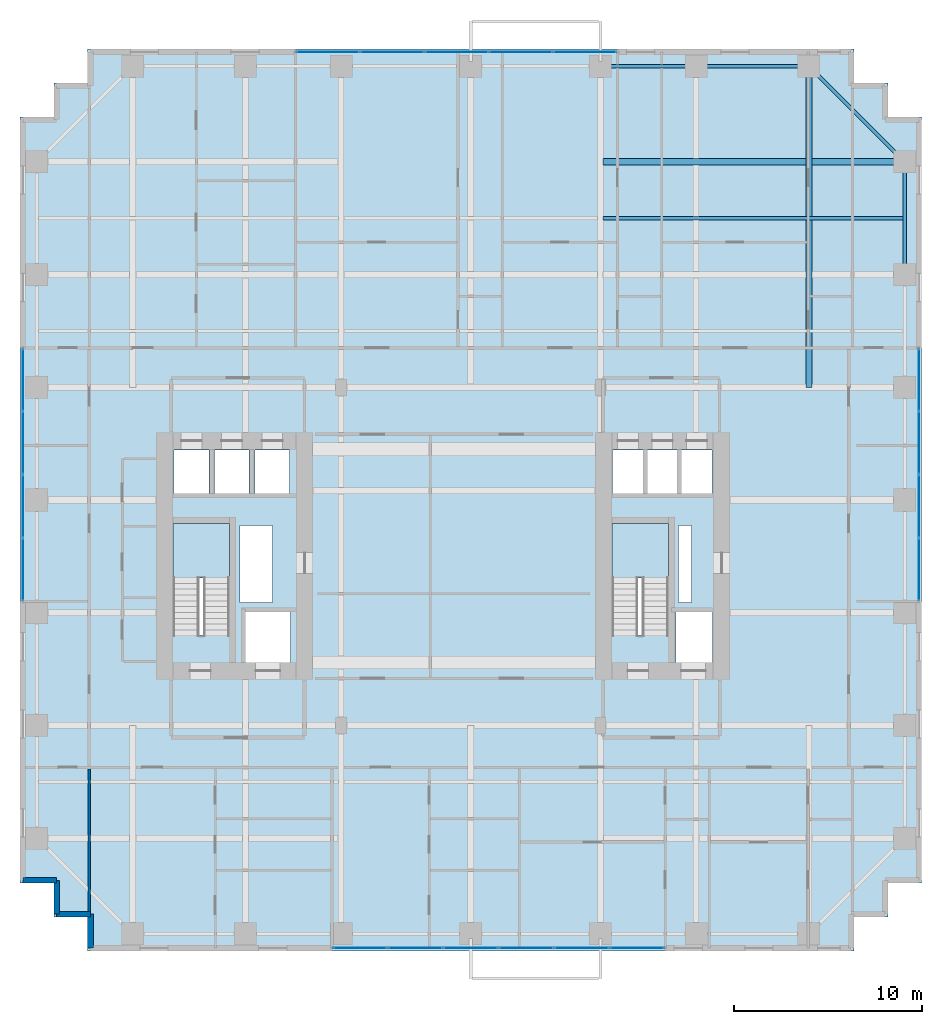
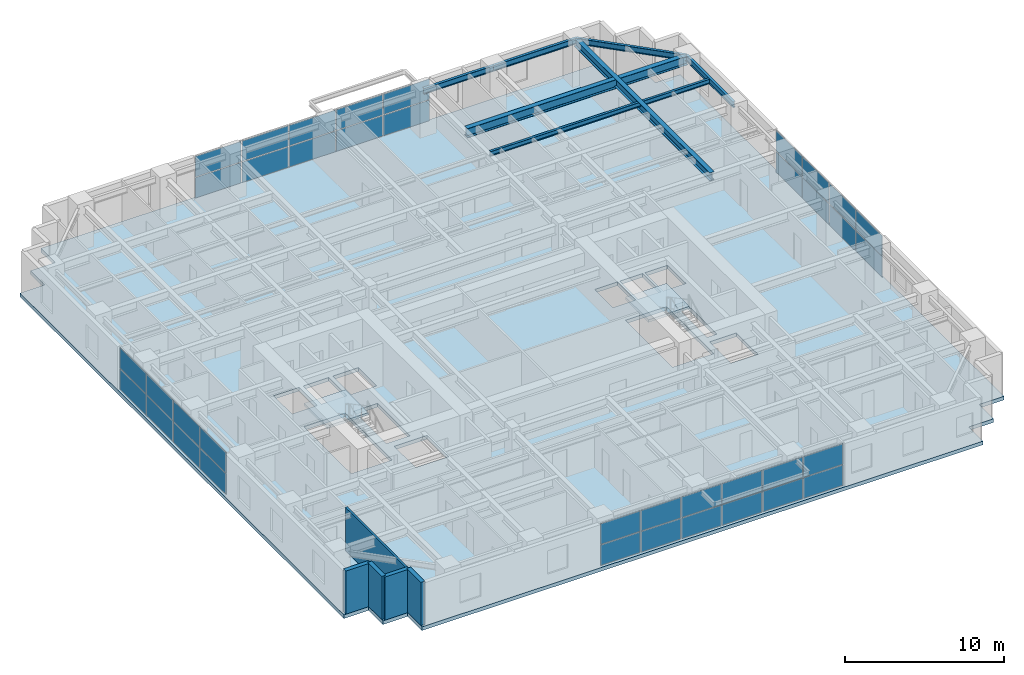
# One storey, part 18 of 24: 38 plates, 7 beams, 5 walls, 3 slabs, 6 elements without a shape of their own.
"""IFC4 building model written with IfcOpenShell, lengths in metres."""

from ifc_helpers import new_model, si_unit, direction, frame, frame_2d, origin, origin_2d, place, context, subcontext, project, spatial, polyline, rectangle, i_section, outline, extrude, source, transform, mapped, material, layer, layer_set, material_profile, profile_set, type_object, element, aggregate, save


model = new_model("IFC4")

# Units and contexts
model_context = context("Model", 3, precision=1e-05, world=origin(), true_north=direction((0.0, 1.0)))
body_context = subcontext(model_context, "Body", "Model", "MODEL_VIEW")
ifc_project = project(units=[si_unit("LENGTHUNIT", "METRE"), si_unit("AREAUNIT", "SQUARE_METRE"), si_unit("VOLUMEUNIT", "CUBIC_METRE"), si_unit("PLANEANGLEUNIT", "RADIAN"), si_unit("MASSUNIT", "GRAM", prefix="KILO")], contexts=[model_context])

# Site, building, storey
site_placement = place(None, origin())
site = spatial("IfcSite", under=ifc_project, at=site_placement, CompositionType="ELEMENT")
building_placement = place(site_placement, origin())
building = spatial("IfcBuilding", under=site, at=building_placement, Name="Khoralis Quay Care Tower", CompositionType="ELEMENT")
storey_placement = place(building_placement, frame((0.0, 0.0, 54.89990234375)))
storey = spatial("IfcBuildingStorey", under=building, at=storey_placement, Name="L14", CompositionType="ELEMENT", Elevation=54.89990234375)

# Beams
ifc_material_1 = material(Name="Steel S355", Category="steel")
ifc_material_profile_1 = material_profile(ifc_material_1, i_section(OverallWidth=0.18994140625, OverallDepth=0.449951171875, WebThickness=0.009521484375, FlangeThickness=0.0146484375, FilletRadius=0.02099609375, at=origin_2d()), Name="Steel S355")
ifc_profile_set_1 = profile_set([ifc_material_profile_1], Name="Steel S355")
beam_type_1 = type_object("IfcBeamType", Name="BM-IPE450", PredefinedType="SPANDREL", material=ifc_profile_set_1)
shared_shape_1 = source(origin(), body_context, "Body", "SweptSolid", [
    extrude(i_section(OverallWidth=0.18994140625, OverallDepth=0.449951171875, WebThickness=0.009521484375, FlangeThickness=0.0146484375, FilletRadius=0.02099609375, at=origin_2d()), origin(), (0.0, 0.0, 1.0), 6.0),
])
for number, where, z_axis, x_axis, name in (
    (1, (36.0, 47.10009765625, 3.09521484375), (1.0, 0.0, 0.0), (0.0, 1.0, 0.0), "BM-TSP-L14-12"),
    (2, (47.10009765625, 36.0, 3.09521484375), (0.0, 1.0, 0.0), (-1.0, 0.0, 0.0), "BM-TSP-L14-24"),
):
    element("IfcBeam", number, at=place(storey_placement, frame(where, z_axis=z_axis, x_axis=x_axis)), inside=storey, type_object=beam_type_1, Name=name, PredefinedType="SPANDREL", context=body_context, shape_type="MappedRepresentation", body=[
        mapped(shared_shape_1, transform((0.0, 0.0, 0.0), scale=1.0)),
    ])
shared_shape_2 = source(origin(), body_context, "Body", "SweptSolid", [
    extrude(i_section(OverallWidth=0.18994140625, OverallDepth=0.449951171875, WebThickness=0.009521484375, FlangeThickness=0.0146484375, FilletRadius=0.02099609375, at=origin_2d()), origin(), (0.0, 0.0, 1.0), 5.10009765625),
])
beam_1_placement = place(storey_placement, frame((30.89990234375, 47.10009765625, 3.09521484375), z_axis=(1.0, 0.0, 0.0), x_axis=(0.0, 1.0, 0.0)))
element("IfcBeam", 3, at=beam_1_placement, inside=storey, type_object=beam_type_1, Name="BM-TSP-L14-11", PredefinedType="SPANDREL", context=body_context, shape_type="MappedRepresentation", body=[
    mapped(shared_shape_2, transform((0.0, 0.0, 0.0), scale=1.0)),
])
shared_shape_3 = source(origin(), body_context, "Body", "SweptSolid", [
    extrude(i_section(OverallWidth=0.18994140625, OverallDepth=0.449951171875, WebThickness=0.009521484375, FlangeThickness=0.0146484375, FilletRadius=0.02099609375, at=origin_2d()), origin(), (0.0, 0.0, 1.0), 7.212646484375),
])
beam_2_placement = place(storey_placement, frame((42.0, 47.10009765625, 3.09521484375), z_axis=(0.707106781187, -0.707106781187, 0.0), x_axis=(0.707106781187, 0.707106781187, 0.0)))
element("IfcBeam", 4, at=beam_2_placement, inside=storey, type_object=beam_type_1, Name="BM-TCR-L14-28", PredefinedType="SPANDREL", context=body_context, shape_type="MappedRepresentation", body=[
    mapped(shared_shape_3, transform((0.0, 0.0, 0.0), scale=1.0)),
])
ifc_material_profile_2 = material_profile(ifc_material_1, i_section(OverallWidth=0.35498046875, OverallDepth=0.695068359375, WebThickness=0.015380859375, FlangeThickness=0.02490234375, FilletRadius=0.02001953125, at=origin_2d()), Name="Steel S355")
ifc_profile_set_2 = profile_set([ifc_material_profile_2], Name="Steel S355")
beam_type_2 = type_object("IfcBeamType", Name="BM-W690X217", PredefinedType="BEAM", material=ifc_profile_set_2)
shared_shape_4 = source(origin(), body_context, "Body", "SweptSolid", [
    extrude(i_section(OverallWidth=0.35498046875, OverallDepth=0.695068359375, WebThickness=0.015380859375, FlangeThickness=0.02490234375, FilletRadius=0.02001953125, at=origin_2d()), origin(), (0.0, 0.0, 1.0), 16.049560546875),
])
beam_3_placement = place(storey_placement, frame((31.050537109375, 42.0, 2.97265625), z_axis=(1.0, 0.0, 0.0), x_axis=(0.0, 1.0, 0.0)))
element("IfcBeam", 5, at=beam_3_placement, inside=storey, type_object=beam_type_2, Name="BM-TGXE-L14-420", PredefinedType="BEAM", context=body_context, shape_type="MappedRepresentation", body=[
    mapped(shared_shape_4, transform((0.0, 0.0, 0.0), scale=1.0)),
])
ifc_material_profile_3 = material_profile(ifc_material_1, i_section(OverallWidth=0.324951171875, OverallDepth=0.615966796875, WebThickness=0.013916015625, FlangeThickness=0.021484375, FilletRadius=0.01806640625, at=origin_2d()), Name="Steel S355")
ifc_profile_set_3 = profile_set([ifc_material_profile_3], Name="Steel S355")
beam_type_3 = type_object("IfcBeamType", Name="BM-W610X174", PredefinedType="BEAM", material=ifc_profile_set_3)
shared_shape_5 = source(origin(), body_context, "Body", "SweptSolid", [
    extrude(i_section(OverallWidth=0.324951171875, OverallDepth=0.615966796875, WebThickness=0.013916015625, FlangeThickness=0.021484375, FilletRadius=0.01806640625, at=origin_2d()), origin(), (0.0, 0.0, 1.0), 17.10009765625),
])
beam_4_placement = place(storey_placement, frame((42.0, 30.0, 3.01220703125), z_axis=(0.0, 1.0, 0.0), x_axis=(-1.0, 0.0, 0.0)))
element("IfcBeam", 6, at=beam_4_placement, inside=storey, type_object=beam_type_3, Name="BM-TGYN-L14-420", PredefinedType="BEAM", context=body_context, shape_type="MappedRepresentation", body=[
    mapped(shared_shape_5, transform((0.0, 0.0, 0.0), scale=1.0)),
])
ifc_material_profile_4 = material_profile(ifc_material_1, i_section(OverallWidth=0.1708984375, OverallDepth=0.35498046875, WebThickness=0.007080078125, FlangeThickness=0.01171875, FilletRadius=0.012939453125, at=origin_2d()), Name="Steel S355")
ifc_profile_set_4 = profile_set([ifc_material_profile_4], Name="Steel S355")
beam_type_4 = type_object("IfcBeamType", Name="BM-W360X51", PredefinedType="JOIST", material=ifc_profile_set_4)
shared_shape_6 = source(origin(), body_context, "Body", "SweptSolid", [
    extrude(i_section(OverallWidth=0.1708984375, OverallDepth=0.35498046875, WebThickness=0.007080078125, FlangeThickness=0.01171875, FilletRadius=0.012939453125, at=origin_2d()), origin(), (0.0, 0.0, 1.0), 15.968505859375),
])
beam_5_placement = place(storey_placement, frame((31.050537109375, 39.0, 3.142578125), z_axis=(1.0, 0.0, 0.0), x_axis=(0.0, 1.0, 0.0)))
element("IfcBeam", 7, at=beam_5_placement, inside=storey, type_object=beam_type_4, Name="BM-TJS-L14-36", PredefinedType="JOIST", context=body_context, shape_type="MappedRepresentation", body=[
    mapped(shared_shape_6, transform((0.0, 0.0, 0.0), scale=1.0)),
])

# Stair, slab
ifc_material_2 = material(Name="Precast concrete C45/55", Category="concrete")
stair_type = type_object("IfcStairType", Name="ST-TWR-DOGLEG-1400", PredefinedType="HALF_TURN_STAIR", material=ifc_material_2)
stair_1_placement = place(storey_placement, origin())
stair_1 = element("IfcStair", 8, at=stair_1_placement, inside=storey, type_object=stair_type, Name="L14 West Core Exit Stair ST-T1", PredefinedType="HALF_TURN_STAIR")
ifc_layer_1 = layer(ifc_material_2, 0.199951171875)
ifc_layer_set_1 = layer_set([ifc_layer_1], Name="Precast concrete C45/55")
slab_type_1 = type_object("IfcSlabType", Name="SLB-LANDING-200", PredefinedType="LANDING", material=ifc_layer_set_1)
slab_1_placement = place(storey_placement, frame((0.0, 0.0, 1.60009765625)))
slab_1 = element("IfcSlab", 9, at=slab_1_placement, type_object=slab_type_1, Name="ST-T1 landing 1", PredefinedType="LANDING", context=body_context, shape_type="SweptSolid", body=[
    extrude(outline(polyline([(11.14990234375, 19.840087890625), (11.14990234375, 22.75), (8.14990234375, 22.75), (8.14990234375, 19.840087890625), (11.14990234375, 19.840087890625)])), origin(), (0.0, 0.0, 1.0), 0.199951171875),
])
aggregate(stair_1, [slab_1])

stair_2_placement = place(storey_placement, origin())
stair_2 = element("IfcStair", 10, at=stair_2_placement, inside=storey, type_object=stair_type, Name="L14 East Core Exit Stair ST-T2", PredefinedType="HALF_TURN_STAIR")
slab_2_placement = place(storey_placement, frame((0.0, 0.0, 1.60009765625)))
slab_2 = element("IfcSlab", 11, at=slab_2_placement, type_object=slab_type_1, Name="ST-T2 landing 1", PredefinedType="LANDING", context=body_context, shape_type="SweptSolid", body=[
    extrude(outline(polyline([(34.52001953125, 19.840087890625), (34.52001953125, 22.75), (31.52001953125, 22.75), (31.52001953125, 19.840087890625), (34.52001953125, 19.840087890625)])), origin(), (0.0, 0.0, 1.0), 0.199951171875),
])
aggregate(stair_2, [slab_2])

# Slab
ifc_material_3 = material(Name="Concrete C40/50", Category="concrete")
ifc_layer_2 = layer(ifc_material_3, 0.280029296875)
ifc_layer_set_2 = layer_set([ifc_layer_2], Name="Concrete C40/50")
slab_type_2 = type_object("IfcSlabType", Name="SLB-TWR-280", PredefinedType="FLOOR", material=ifc_layer_set_2)
slab_3_placement = place(storey_placement, frame((0.0, 0.0, -0.27978515625)))
element("IfcSlab", 12, at=slab_3_placement, inside=storey, type_object=slab_type_2, Name="Tower Floor Slab L14", PredefinedType="FLOOR", context=body_context, shape_type="SweptSolid", body=[
    extrude(outline(polyline([(3.60009765625, 0.0), (44.39990234375, 0.0), (44.39990234375, 1.800048828125), (46.199951171875, 1.800048828125), (46.199951171875, 3.60009765625), (48.0, 3.60009765625), (48.0, 44.39990234375), (46.199951171875, 44.39990234375), (46.199951171875, 46.199951171875), (44.39990234375, 46.199951171875), (44.39990234375, 48.0), (3.60009765625, 48.0), (3.60009765625, 46.199951171875), (1.800048828125, 46.199951171875), (1.800048828125, 44.39990234375), (0.0, 44.39990234375), (0.0, 3.60009765625), (1.800048828125, 3.60009765625), (1.800048828125, 1.800048828125), (3.60009765625, 1.800048828125), (3.60009765625, 0.0)]), holes=[polyline([(11.14990234375, 16.800048828125), (11.14990234375, 22.75), (8.14990234375, 22.75), (8.14990234375, 16.800048828125), (11.14990234375, 16.800048828125)]), polyline([(34.52001953125, 16.800048828125), (34.52001953125, 22.75), (31.52001953125, 22.75), (31.52001953125, 16.800048828125), (34.52001953125, 16.800048828125)]), polyline([(12.0, 15.35009765625), (14.39990234375, 15.35009765625), (14.39990234375, 18.050048828125), (12.0, 18.050048828125), (12.0, 15.35009765625)]), polyline([(34.919921875, 15.35009765625), (36.8798828125, 15.35009765625), (36.8798828125, 18.050048828125), (34.919921875, 18.050048828125), (34.919921875, 15.35009765625)]), polyline([(8.199951171875, 24.35009765625), (10.050048828125, 24.35009765625), (10.050048828125, 26.64990234375), (8.199951171875, 26.64990234375), (8.199951171875, 24.35009765625)]), polyline([(31.550048828125, 24.35009765625), (33.199951171875, 24.35009765625), (33.199951171875, 26.64990234375), (31.550048828125, 26.64990234375), (31.550048828125, 24.35009765625)]), polyline([(10.35009765625, 24.35009765625), (12.199951171875, 24.35009765625), (12.199951171875, 26.64990234375), (10.35009765625, 26.64990234375), (10.35009765625, 24.35009765625)]), polyline([(33.3798828125, 24.35009765625), (35.030029296875, 24.35009765625), (35.030029296875, 26.64990234375), (33.3798828125, 26.64990234375), (33.3798828125, 24.35009765625)]), polyline([(12.5, 24.35009765625), (14.35009765625, 24.35009765625), (14.35009765625, 26.64990234375), (12.5, 26.64990234375), (12.5, 24.35009765625)]), polyline([(35.199951171875, 24.35009765625), (36.85009765625, 24.35009765625), (36.85009765625, 26.64990234375), (35.199951171875, 26.64990234375), (35.199951171875, 24.35009765625)]), polyline([(11.719970703125, 18.550048828125), (13.449951171875, 18.550048828125), (13.449951171875, 22.64990234375), (11.719970703125, 22.64990234375), (11.719970703125, 18.550048828125)]), polyline([(35.050048828125, 18.550048828125), (35.75, 18.550048828125), (35.75, 22.64990234375), (35.050048828125, 22.64990234375), (35.050048828125, 18.550048828125)])]), origin(), (0.0, 0.0, 1.0), 0.27978515625),
])

# Curtain wall, plates
ifc_material_4 = material(Name="Pale anodised aluminium", Category="aluminium")
ifc_layer_3 = layer(ifc_material_4, 0.179931640625)
ifc_layer_set_3 = layer_set([ifc_layer_3], Name="Pale anodised aluminium")
curtain_wall_type = type_object("IfcCurtainWallType", Name="CW-SYS-Z1", PredefinedType="NOTDEFINED", material=ifc_layer_set_3)
curtain_wall_1_placement = place(storey_placement, origin())
curtain_wall_1 = element("IfcCurtainWall", 13, at=curtain_wall_1_placement, inside=storey, type_object=curtain_wall_type, Name="L14 Unitised Curtain Wall CW-L14-P1-E5", PredefinedType="NOTDEFINED")
ifc_material_5 = material(Name="Low-E solar-control double glazing", Category="glass")
ifc_layer_4 = layer(ifc_material_5, 0.031982421875)
ifc_layer_set_4 = layer_set([ifc_layer_4], Name="Low-E solar-control double glazing")
plate_type = type_object("IfcPlateType", Name="PNL-VIS-32", PredefinedType="CURTAIN_PANEL", material=ifc_layer_set_4)
shared_shape_7 = source(origin(), body_context, "Body", "SweptSolid", [
    extrude(rectangle(XDim=3.284912109375, YDim=0.028076171875, at=origin_2d()), origin(), (0.0, 0.0, 1.0), 1.570068359375),
])
plate_1_placement = place(storey_placement, frame((47.85009765625, 20.302490234375, 0.06005859375), z_axis=(0.0, 0.0, 1.0), x_axis=(0.0, 1.0, 0.0)))
plate_1 = element("IfcPlate", 14, at=plate_1_placement, type_object=plate_type, Name="CW1 panel 1.1", PredefinedType="CURTAIN_PANEL", context=body_context, shape_type="MappedRepresentation", body=[
    mapped(shared_shape_7, transform((0.0, 0.0, 0.0), scale=1.0)),
])
plate_2_placement = place(storey_placement, frame((47.85009765625, 20.302490234375, 1.68994140625), z_axis=(0.0, 0.0, 1.0), x_axis=(0.0, 1.0, 0.0)))
plate_2 = element("IfcPlate", 15, at=plate_2_placement, type_object=plate_type, Name="CW1 panel 1.2", PredefinedType="CURTAIN_PANEL", context=body_context, shape_type="MappedRepresentation", body=[
    mapped(shared_shape_7, transform((0.0, 0.0, 0.0), scale=1.0)),
])
plate_3_placement = place(storey_placement, frame((47.85009765625, 30.3974609375, 0.06005859375), z_axis=(0.0, 0.0, 1.0), x_axis=(0.0, 1.0, 0.0)))
plate_3 = element("IfcPlate", 16, at=plate_3_placement, type_object=plate_type, Name="CW1 panel 4.1", PredefinedType="CURTAIN_PANEL", context=body_context, shape_type="MappedRepresentation", body=[
    mapped(shared_shape_7, transform((0.0, 0.0, 0.0), scale=1.0)),
])
plate_4_placement = place(storey_placement, frame((47.85009765625, 30.3974609375, 1.68994140625), z_axis=(0.0, 0.0, 1.0), x_axis=(0.0, 1.0, 0.0)))
plate_4 = element("IfcPlate", 17, at=plate_4_placement, type_object=plate_type, Name="CW1 panel 4.2", PredefinedType="CURTAIN_PANEL", context=body_context, shape_type="MappedRepresentation", body=[
    mapped(shared_shape_7, transform((0.0, 0.0, 0.0), scale=1.0)),
])

curtain_wall_2_placement = place(storey_placement, origin())
curtain_wall_2 = element("IfcCurtainWall", 18, at=curtain_wall_2_placement, inside=storey, type_object=curtain_wall_type, Name="L14 Unitised Curtain Wall CW-L14-P1-E15", PredefinedType="NOTDEFINED")
plate_5_placement = place(storey_placement, frame((0.14990234375, 30.3974609375, 0.06005859375), z_axis=(0.0, 0.0, 1.0), x_axis=(0.0, -1.0, 0.0)))
plate_5 = element("IfcPlate", 19, at=plate_5_placement, type_object=plate_type, Name="CW1 panel 1.1", PredefinedType="CURTAIN_PANEL", context=body_context, shape_type="MappedRepresentation", body=[
    mapped(shared_shape_7, transform((0.0, 0.0, 0.0), scale=1.0)),
])
plate_6_placement = place(storey_placement, frame((0.14990234375, 30.3974609375, 1.68994140625), z_axis=(0.0, 0.0, 1.0), x_axis=(0.0, -1.0, 0.0)))
plate_6 = element("IfcPlate", 20, at=plate_6_placement, type_object=plate_type, Name="CW1 panel 1.2", PredefinedType="CURTAIN_PANEL", context=body_context, shape_type="MappedRepresentation", body=[
    mapped(shared_shape_7, transform((0.0, 0.0, 0.0), scale=1.0)),
])
plate_7_placement = place(storey_placement, frame((0.14990234375, 20.302490234375, 0.06005859375), z_axis=(0.0, 0.0, 1.0), x_axis=(0.0, -1.0, 0.0)))
plate_7 = element("IfcPlate", 21, at=plate_7_placement, type_object=plate_type, Name="CW1 panel 4.1", PredefinedType="CURTAIN_PANEL", context=body_context, shape_type="MappedRepresentation", body=[
    mapped(shared_shape_7, transform((0.0, 0.0, 0.0), scale=1.0)),
])
plate_8_placement = place(storey_placement, frame((0.14990234375, 20.302490234375, 1.68994140625), z_axis=(0.0, 0.0, 1.0), x_axis=(0.0, -1.0, 0.0)))
plate_8 = element("IfcPlate", 22, at=plate_8_placement, type_object=plate_type, Name="CW1 panel 4.2", PredefinedType="CURTAIN_PANEL", context=body_context, shape_type="MappedRepresentation", body=[
    mapped(shared_shape_7, transform((0.0, 0.0, 0.0), scale=1.0)),
])

# Plate
shared_shape_8 = source(origin(), body_context, "Body", "SweptSolid", [
    extrude(rectangle(XDim=3.31494140625, YDim=0.028076171875, at=origin_2d()), origin(), (0.0, 0.0, 1.0), 1.570068359375),
])
plate_9_placement = place(storey_placement, frame((47.85009765625, 23.66259765625, 0.06005859375), z_axis=(0.0, 0.0, 1.0), x_axis=(0.0, 1.0, 0.0)))
plate_9 = element("IfcPlate", 23, at=plate_9_placement, type_object=plate_type, Name="CW1 panel 2.1", PredefinedType="CURTAIN_PANEL", context=body_context, shape_type="MappedRepresentation", body=[
    mapped(shared_shape_8, transform((0.0, 0.0, 0.0), scale=1.0)),
])

plate_10_placement = place(storey_placement, frame((47.85009765625, 23.66259765625, 1.68994140625), z_axis=(0.0, 0.0, 1.0), x_axis=(0.0, 1.0, 0.0)))
plate_10 = element("IfcPlate", 24, at=plate_10_placement, type_object=plate_type, Name="CW1 panel 2.2", PredefinedType="CURTAIN_PANEL", context=body_context, shape_type="MappedRepresentation", body=[
    mapped(shared_shape_8, transform((0.0, 0.0, 0.0), scale=1.0)),
])

plate_11_placement = place(storey_placement, frame((47.85009765625, 27.03759765625, 0.06005859375), z_axis=(0.0, 0.0, 1.0), x_axis=(0.0, 1.0, 0.0)))
plate_11 = element("IfcPlate", 25, at=plate_11_placement, type_object=plate_type, Name="CW1 panel 3.1", PredefinedType="CURTAIN_PANEL", context=body_context, shape_type="MappedRepresentation", body=[
    mapped(shared_shape_8, transform((0.0, 0.0, 0.0), scale=1.0)),
])

plate_12_placement = place(storey_placement, frame((47.85009765625, 27.03759765625, 1.68994140625), z_axis=(0.0, 0.0, 1.0), x_axis=(0.0, 1.0, 0.0)))
plate_12 = element("IfcPlate", 26, at=plate_12_placement, type_object=plate_type, Name="CW1 panel 3.2", PredefinedType="CURTAIN_PANEL", context=body_context, shape_type="MappedRepresentation", body=[
    mapped(shared_shape_8, transform((0.0, 0.0, 0.0), scale=1.0)),
])

aggregate(curtain_wall_1, [plate_1, plate_2, plate_9, plate_10, plate_11, plate_12, plate_3, plate_4])

plate_13_placement = place(storey_placement, frame((0.14990234375, 27.03759765625, 0.06005859375), z_axis=(0.0, 0.0, 1.0), x_axis=(0.0, -1.0, 0.0)))
plate_13 = element("IfcPlate", 27, at=plate_13_placement, type_object=plate_type, Name="CW1 panel 2.1", PredefinedType="CURTAIN_PANEL", context=body_context, shape_type="MappedRepresentation", body=[
    mapped(shared_shape_8, transform((0.0, 0.0, 0.0), scale=1.0)),
])

plate_14_placement = place(storey_placement, frame((0.14990234375, 27.03759765625, 1.68994140625), z_axis=(0.0, 0.0, 1.0), x_axis=(0.0, -1.0, 0.0)))
plate_14 = element("IfcPlate", 28, at=plate_14_placement, type_object=plate_type, Name="CW1 panel 2.2", PredefinedType="CURTAIN_PANEL", context=body_context, shape_type="MappedRepresentation", body=[
    mapped(shared_shape_8, transform((0.0, 0.0, 0.0), scale=1.0)),
])

plate_15_placement = place(storey_placement, frame((0.14990234375, 23.66259765625, 0.06005859375), z_axis=(0.0, 0.0, 1.0), x_axis=(0.0, -1.0, 0.0)))
plate_15 = element("IfcPlate", 29, at=plate_15_placement, type_object=plate_type, Name="CW1 panel 3.1", PredefinedType="CURTAIN_PANEL", context=body_context, shape_type="MappedRepresentation", body=[
    mapped(shared_shape_8, transform((0.0, 0.0, 0.0), scale=1.0)),
])

plate_16_placement = place(storey_placement, frame((0.14990234375, 23.66259765625, 1.68994140625), z_axis=(0.0, 0.0, 1.0), x_axis=(0.0, -1.0, 0.0)))
plate_16 = element("IfcPlate", 30, at=plate_16_placement, type_object=plate_type, Name="CW1 panel 3.2", PredefinedType="CURTAIN_PANEL", context=body_context, shape_type="MappedRepresentation", body=[
    mapped(shared_shape_8, transform((0.0, 0.0, 0.0), scale=1.0)),
])

aggregate(curtain_wall_2, [plate_5, plate_6, plate_13, plate_14, plate_15, plate_16, plate_7, plate_8])

# Curtain wall, plates
curtain_wall_3_placement = place(storey_placement, origin())
curtain_wall_3 = element("IfcCurtainWall", 31, at=curtain_wall_3_placement, inside=storey, type_object=curtain_wall_type, Name="L14 Unitised Curtain Wall CW-L14-P1-E0", PredefinedType="NOTDEFINED")
shared_shape_9 = source(origin(), body_context, "Body", "SweptSolid", [
    extrude(rectangle(XDim=2.86669921875, YDim=0.028076171875, at=origin_2d()), origin(), (0.0, 0.0, 1.0), 1.570068359375),
])
plate_17_placement = place(storey_placement, frame((18.103271484375, 0.14990234375, 0.06005859375), z_axis=(0.0, 0.0, 1.0), x_axis=(1.0, 0.0, 0.0)))
plate_17 = element("IfcPlate", 32, at=plate_17_placement, type_object=plate_type, Name="CW1 panel 1.1", PredefinedType="CURTAIN_PANEL", context=body_context, shape_type="MappedRepresentation", body=[
    mapped(shared_shape_9, transform((0.0, 0.0, 0.0), scale=1.0)),
])
plate_18_placement = place(storey_placement, frame((18.103271484375, 0.14990234375, 1.68994140625), z_axis=(0.0, 0.0, 1.0), x_axis=(1.0, 0.0, 0.0)))
plate_18 = element("IfcPlate", 33, at=plate_18_placement, type_object=plate_type, Name="CW1 panel 1.2", PredefinedType="CURTAIN_PANEL", context=body_context, shape_type="MappedRepresentation", body=[
    mapped(shared_shape_9, transform((0.0, 0.0, 0.0), scale=1.0)),
])
plate_19_placement = place(storey_placement, frame((32.856689453125, 0.14990234375, 0.06005859375), z_axis=(0.0, 0.0, 1.0), x_axis=(1.0, 0.0, 0.0)))
plate_19 = element("IfcPlate", 34, at=plate_19_placement, type_object=plate_type, Name="CW1 panel 6.1", PredefinedType="CURTAIN_PANEL", context=body_context, shape_type="MappedRepresentation", body=[
    mapped(shared_shape_9, transform((0.0, 0.0, 0.0), scale=1.0)),
])
plate_20_placement = place(storey_placement, frame((32.856689453125, 0.14990234375, 1.68994140625), z_axis=(0.0, 0.0, 1.0), x_axis=(1.0, 0.0, 0.0)))
plate_20 = element("IfcPlate", 35, at=plate_20_placement, type_object=plate_type, Name="CW1 panel 6.2", PredefinedType="CURTAIN_PANEL", context=body_context, shape_type="MappedRepresentation", body=[
    mapped(shared_shape_9, transform((0.0, 0.0, 0.0), scale=1.0)),
])
shared_shape_10 = source(origin(), body_context, "Body", "SweptSolid", [
    extrude(rectangle(XDim=2.896728515625, YDim=0.028076171875, at=origin_2d()), origin(), (0.0, 0.0, 1.0), 1.570068359375),
])
plate_21_placement = place(storey_placement, frame((21.044921875, 0.14990234375, 0.06005859375), z_axis=(0.0, 0.0, 1.0), x_axis=(1.0, 0.0, 0.0)))
plate_21 = element("IfcPlate", 36, at=plate_21_placement, type_object=plate_type, Name="CW1 panel 2.1", PredefinedType="CURTAIN_PANEL", context=body_context, shape_type="MappedRepresentation", body=[
    mapped(shared_shape_10, transform((0.0, 0.0, 0.0), scale=1.0)),
])
plate_22_placement = place(storey_placement, frame((21.044921875, 0.14990234375, 1.68994140625), z_axis=(0.0, 0.0, 1.0), x_axis=(1.0, 0.0, 0.0)))
plate_22 = element("IfcPlate", 37, at=plate_22_placement, type_object=plate_type, Name="CW1 panel 2.2", PredefinedType="CURTAIN_PANEL", context=body_context, shape_type="MappedRepresentation", body=[
    mapped(shared_shape_10, transform((0.0, 0.0, 0.0), scale=1.0)),
])
plate_23_placement = place(storey_placement, frame((24.001708984375, 0.14990234375, 0.06005859375), z_axis=(0.0, 0.0, 1.0), x_axis=(1.0, 0.0, 0.0)))
plate_23 = element("IfcPlate", 38, at=plate_23_placement, type_object=plate_type, Name="CW1 panel 3.1", PredefinedType="CURTAIN_PANEL", context=body_context, shape_type="MappedRepresentation", body=[
    mapped(shared_shape_10, transform((0.0, 0.0, 0.0), scale=1.0)),
])
plate_24_placement = place(storey_placement, frame((24.001708984375, 0.14990234375, 1.68994140625), z_axis=(0.0, 0.0, 1.0), x_axis=(1.0, 0.0, 0.0)))
plate_24 = element("IfcPlate", 39, at=plate_24_placement, type_object=plate_type, Name="CW1 panel 3.2", PredefinedType="CURTAIN_PANEL", context=body_context, shape_type="MappedRepresentation", body=[
    mapped(shared_shape_10, transform((0.0, 0.0, 0.0), scale=1.0)),
])
plate_25_placement = place(storey_placement, frame((26.958251953125, 0.14990234375, 0.06005859375), z_axis=(0.0, 0.0, 1.0), x_axis=(1.0, 0.0, 0.0)))
plate_25 = element("IfcPlate", 40, at=plate_25_placement, type_object=plate_type, Name="CW1 panel 4.1", PredefinedType="CURTAIN_PANEL", context=body_context, shape_type="MappedRepresentation", body=[
    mapped(shared_shape_10, transform((0.0, 0.0, 0.0), scale=1.0)),
])
plate_26_placement = place(storey_placement, frame((26.958251953125, 0.14990234375, 1.68994140625), z_axis=(0.0, 0.0, 1.0), x_axis=(1.0, 0.0, 0.0)))
plate_26 = element("IfcPlate", 41, at=plate_26_placement, type_object=plate_type, Name="CW1 panel 4.2", PredefinedType="CURTAIN_PANEL", context=body_context, shape_type="MappedRepresentation", body=[
    mapped(shared_shape_10, transform((0.0, 0.0, 0.0), scale=1.0)),
])
plate_27_placement = place(storey_placement, frame((29.9150390625, 0.14990234375, 0.06005859375), z_axis=(0.0, 0.0, 1.0), x_axis=(1.0, 0.0, 0.0)))
plate_27 = element("IfcPlate", 42, at=plate_27_placement, type_object=plate_type, Name="CW1 panel 5.1", PredefinedType="CURTAIN_PANEL", context=body_context, shape_type="MappedRepresentation", body=[
    mapped(shared_shape_10, transform((0.0, 0.0, 0.0), scale=1.0)),
])
plate_28_placement = place(storey_placement, frame((29.9150390625, 0.14990234375, 1.68994140625), z_axis=(0.0, 0.0, 1.0), x_axis=(1.0, 0.0, 0.0)))
plate_28 = element("IfcPlate", 43, at=plate_28_placement, type_object=plate_type, Name="CW1 panel 5.2", PredefinedType="CURTAIN_PANEL", context=body_context, shape_type="MappedRepresentation", body=[
    mapped(shared_shape_10, transform((0.0, 0.0, 0.0), scale=1.0)),
])
aggregate(curtain_wall_3, [plate_17, plate_18, plate_21, plate_22, plate_23, plate_24, plate_25, plate_26, plate_27, plate_28, plate_19, plate_20])

curtain_wall_4_placement = place(storey_placement, origin())
curtain_wall_4 = element("IfcCurtainWall", 44, at=curtain_wall_4_placement, inside=storey, type_object=curtain_wall_type, Name="L14 Unitised Curtain Wall CW-L14-P1-E10", PredefinedType="NOTDEFINED")
shared_shape_11 = source(origin(), body_context, "Body", "SweptSolid", [
    extrude(rectangle(XDim=3.337890625, YDim=0.028076171875, at=origin_2d()), origin(), (0.0, 0.0, 1.0), 1.570068359375),
])
plate_29_placement = place(storey_placement, frame((30.0810546875, 47.85009765625, 0.06005859375), z_axis=(0.0, 0.0, 1.0), x_axis=(-1.0, 0.0, 0.0)))
plate_29 = element("IfcPlate", 45, at=plate_29_placement, type_object=plate_type, Name="CW1 panel 1.1", PredefinedType="CURTAIN_PANEL", context=body_context, shape_type="MappedRepresentation", body=[
    mapped(shared_shape_11, transform((0.0, 0.0, 0.0), scale=1.0)),
])
plate_30_placement = place(storey_placement, frame((30.0810546875, 47.85009765625, 1.68994140625), z_axis=(0.0, 0.0, 1.0), x_axis=(-1.0, 0.0, 0.0)))
plate_30 = element("IfcPlate", 46, at=plate_30_placement, type_object=plate_type, Name="CW1 panel 1.2", PredefinedType="CURTAIN_PANEL", context=body_context, shape_type="MappedRepresentation", body=[
    mapped(shared_shape_11, transform((0.0, 0.0, 0.0), scale=1.0)),
])
plate_31_placement = place(storey_placement, frame((16.39892578125, 47.85009765625, 0.06005859375), z_axis=(0.0, 0.0, 1.0), x_axis=(-1.0, 0.0, 0.0)))
plate_31 = element("IfcPlate", 47, at=plate_31_placement, type_object=plate_type, Name="CW1 panel 5.1", PredefinedType="CURTAIN_PANEL", context=body_context, shape_type="MappedRepresentation", body=[
    mapped(shared_shape_11, transform((0.0, 0.0, 0.0), scale=1.0)),
])
plate_32_placement = place(storey_placement, frame((16.39892578125, 47.85009765625, 1.68994140625), z_axis=(0.0, 0.0, 1.0), x_axis=(-1.0, 0.0, 0.0)))
plate_32 = element("IfcPlate", 48, at=plate_32_placement, type_object=plate_type, Name="CW1 panel 5.2", PredefinedType="CURTAIN_PANEL", context=body_context, shape_type="MappedRepresentation", body=[
    mapped(shared_shape_11, transform((0.0, 0.0, 0.0), scale=1.0)),
])
shared_shape_12 = source(origin(), body_context, "Body", "SweptSolid", [
    extrude(rectangle(XDim=3.367919921875, YDim=0.028076171875, at=origin_2d()), origin(), (0.0, 0.0, 1.0), 1.570068359375),
])
plate_33_placement = place(storey_placement, frame((26.66796875, 47.85009765625, 0.06005859375), z_axis=(0.0, 0.0, 1.0), x_axis=(-1.0, 0.0, 0.0)))
plate_33 = element("IfcPlate", 49, at=plate_33_placement, type_object=plate_type, Name="CW1 panel 2.1", PredefinedType="CURTAIN_PANEL", context=body_context, shape_type="MappedRepresentation", body=[
    mapped(shared_shape_12, transform((0.0, 0.0, 0.0), scale=1.0)),
])
plate_34_placement = place(storey_placement, frame((26.66796875, 47.85009765625, 1.68994140625), z_axis=(0.0, 0.0, 1.0), x_axis=(-1.0, 0.0, 0.0)))
plate_34 = element("IfcPlate", 50, at=plate_34_placement, type_object=plate_type, Name="CW1 panel 2.2", PredefinedType="CURTAIN_PANEL", context=body_context, shape_type="MappedRepresentation", body=[
    mapped(shared_shape_12, transform((0.0, 0.0, 0.0), scale=1.0)),
])
plate_35_placement = place(storey_placement, frame((23.239990234375, 47.85009765625, 0.06005859375), z_axis=(0.0, 0.0, 1.0), x_axis=(-1.0, 0.0, 0.0)))
plate_35 = element("IfcPlate", 51, at=plate_35_placement, type_object=plate_type, Name="CW1 panel 3.1", PredefinedType="CURTAIN_PANEL", context=body_context, shape_type="MappedRepresentation", body=[
    mapped(shared_shape_12, transform((0.0, 0.0, 0.0), scale=1.0)),
])
plate_36_placement = place(storey_placement, frame((23.239990234375, 47.85009765625, 1.68994140625), z_axis=(0.0, 0.0, 1.0), x_axis=(-1.0, 0.0, 0.0)))
plate_36 = element("IfcPlate", 52, at=plate_36_placement, type_object=plate_type, Name="CW1 panel 3.2", PredefinedType="CURTAIN_PANEL", context=body_context, shape_type="MappedRepresentation", body=[
    mapped(shared_shape_12, transform((0.0, 0.0, 0.0), scale=1.0)),
])
plate_37_placement = place(storey_placement, frame((19.81201171875, 47.85009765625, 0.06005859375), z_axis=(0.0, 0.0, 1.0), x_axis=(-1.0, 0.0, 0.0)))
plate_37 = element("IfcPlate", 53, at=plate_37_placement, type_object=plate_type, Name="CW1 panel 4.1", PredefinedType="CURTAIN_PANEL", context=body_context, shape_type="MappedRepresentation", body=[
    mapped(shared_shape_12, transform((0.0, 0.0, 0.0), scale=1.0)),
])
plate_38_placement = place(storey_placement, frame((19.81201171875, 47.85009765625, 1.68994140625), z_axis=(0.0, 0.0, 1.0), x_axis=(-1.0, 0.0, 0.0)))
plate_38 = element("IfcPlate", 54, at=plate_38_placement, type_object=plate_type, Name="CW1 panel 4.2", PredefinedType="CURTAIN_PANEL", context=body_context, shape_type="MappedRepresentation", body=[
    mapped(shared_shape_12, transform((0.0, 0.0, 0.0), scale=1.0)),
])
aggregate(curtain_wall_4, [plate_29, plate_30, plate_33, plate_34, plate_35, plate_36, plate_37, plate_38, plate_31, plate_32])

# Walls
ifc_layer_5 = layer(ifc_material_2, 0.300048828125)
ifc_layer_set_5 = layer_set([ifc_layer_5], Name="Precast concrete C45/55")
wall_type_1 = type_object("IfcWallType", Name="WL-EXT-REF-300", PredefinedType="SOLIDWALL", material=ifc_layer_set_5)
for number, where, z_axis, x_axis, name in (
    (55, (0.14990234375, 3.75, 0.0), (0.0, 0.0, 1.0), (1.0, 0.0, 0.0), "L14 External Facade Wall WL-EXT-L14-P1-C16"),
    (56, (1.949951171875, 3.75, 0.0), (0.0, 0.0, 1.0), (0.0, -1.0, 0.0), "L14 External Facade Wall WL-EXT-L14-P1-C17"),
    (57, (1.949951171875, 1.949951171875, 0.0), (0.0, 0.0, 1.0), (1.0, 0.0, 0.0), "L14 External Facade Wall WL-EXT-L14-P1-C18"),
    (58, (3.75, 1.949951171875, 0.0), (0.0, 0.0, 1.0), (0.0, -1.0, 0.0), "L14 External Facade Wall WL-EXT-L14-P1-C19"),
):
    element("IfcWall", number, at=place(storey_placement, frame(where, z_axis=z_axis, x_axis=x_axis)), inside=storey, type_object=wall_type_1, Name=name, PredefinedType="SOLIDWALL", context=body_context, shape_type="SweptSolid", body=[
        extrude(rectangle(XDim=1.800048828125, YDim=0.300048828125, at=frame_2d((0.89990234375, 0.0))), origin(), (0.0, 0.0, 1.0), 3.320068359375),
    ])
ifc_material_6 = material(Name="Gypsum plasterboard on acoustic metal stud")
ifc_layer_6 = layer(ifc_material_6, 0.139892578125)
ifc_layer_set_6 = layer_set([ifc_layer_6], Name="Gypsum plasterboard on acoustic metal stud")
wall_type_2 = type_object("IfcWallType", Name="WL-UNIT-140", PredefinedType="PARTITIONING", material=ifc_layer_set_6)
wall_placement = place(storey_placement, frame((3.679931640625, 1.945068359375, 0.0), z_axis=(0.0, 0.0, 1.0), x_axis=(0.0, 1.0, 0.0)))
element("IfcWall", 59, at=wall_placement, inside=storey, type_object=wall_type_2, Name="L14 SB Demising Wall 0", PredefinedType="PARTITIONING", context=body_context, shape_type="SweptSolid", body=[
    extrude(rectangle(XDim=7.737548828125, YDim=0.139892578125, at=frame_2d((3.86865234375, 0.0))), origin(), (0.0, 0.0, 1.0), 3.320068359375),
])

save(model, "model.ifc")
